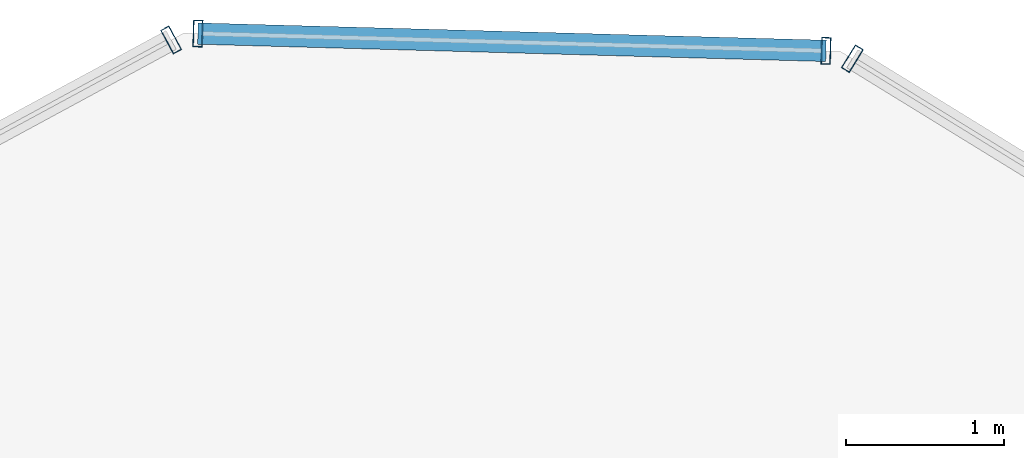
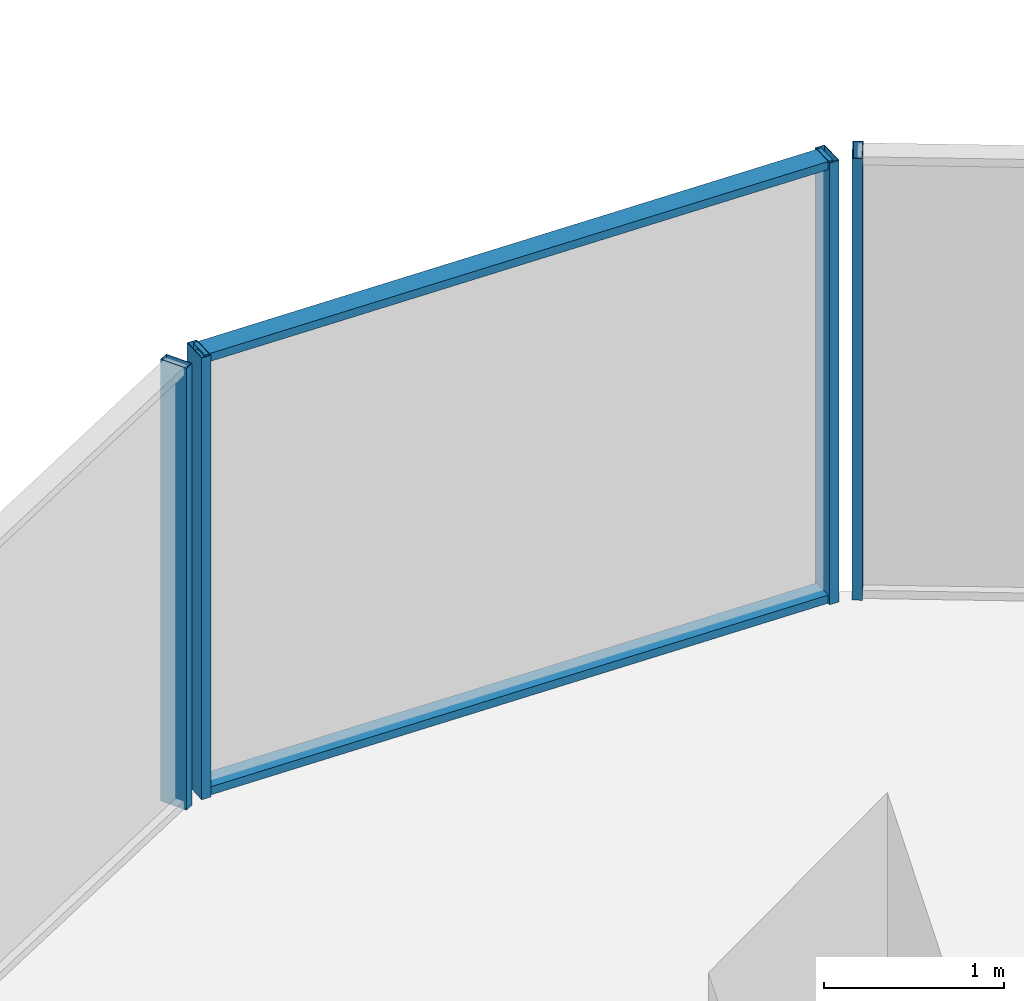
# One storey, part 23 of 30: 6 members, 3 elements without a shape of their own.
"""IFC4 building model written with IfcOpenShell, lengths in metres."""

from ifc_helpers import new_model, si_unit, direction, frame, origin, origin_2d, place, context, subcontext, project, spatial, hollow_rectangle, extrude, source, transform, mapped, material, layer, layer_set, material_profile, profile_set, type_object, element, aggregate, save


model = new_model("IFC4")

# Units and contexts
model_context = context("Model", 3, precision=1e-05, world=origin(), true_north=direction((0.0, 1.0)))
body_context = subcontext(model_context, "Body", "Model", "MODEL_VIEW")
ifc_project = project(units=[si_unit("LENGTHUNIT", "METRE"), si_unit("AREAUNIT", "SQUARE_METRE"), si_unit("VOLUMEUNIT", "CUBIC_METRE"), si_unit("PLANEANGLEUNIT", "RADIAN"), si_unit("MASSUNIT", "GRAM", prefix="KILO")], contexts=[model_context])

# Site, building, storey
site_placement = place(None, origin())
site = spatial("IfcSite", under=ifc_project, at=site_placement, CompositionType="ELEMENT")
building_placement = place(site_placement, origin())
building = spatial("IfcBuilding", under=site, at=building_placement, Name="Veraguas Prism Commons", CompositionType="ELEMENT")
storey_placement = place(building_placement, frame((0.0, 0.0, 123.0)))
storey = spatial("IfcBuildingStorey", under=building, at=storey_placement, Name="L34", CompositionType="ELEMENT", Elevation=123.0)

# Curtain wall, member
ifc_material = material(Name="Anodised aluminium EN AW-6063 T6", Category="aluminium")
ifc_layer = layer(ifc_material, 0.169921875, Name="Unitised Flush Curtain Wall Zone 2", Category="aluminium")
ifc_layer_set = layer_set([ifc_layer], Name="Anodised aluminium EN AW-6063 T6")
curtain_wall_type = type_object("IfcCurtainWallType", Name="Unitised Flush Curtain Wall Zone 2", PredefinedType="NOTDEFINED", material=ifc_layer_set)
curtain_wall_1_placement = place(storey_placement, origin())
curtain_wall_1 = element("IfcCurtainWall", 1, at=curtain_wall_1_placement, inside=storey, type_object=curtain_wall_type, Name="Tower Facade Curtain Wall L34-F1", PredefinedType="NOTDEFINED")
ifc_material_profile_1 = material_profile(ifc_material, hollow_rectangle(XDim=0.06005859375, YDim=0.169921875, WallThickness=0.00390625, at=origin_2d()), Name="AL60X170X4")
ifc_profile_set_1 = profile_set([ifc_material_profile_1], Name="Anodised aluminium EN AW-6063 T6")
member_type_1 = type_object("IfcMemberType", Name="Curtain Wall Mullion Lower AL 60x170x4", PredefinedType="MULLION", material=ifc_profile_set_1)
shared_shape_1 = source(origin(), body_context, "Body", "SweptSolid", [
    extrude(hollow_rectangle(XDim=0.06005859375, YDim=0.169921875, WallThickness=0.00390625, at=origin_2d()), origin(), (0.0, 0.0, 1.0), 3.0),
])
member_1_placement = place(storey_placement, frame((26.730224609375, 44.8388671875, 0.0), z_axis=(0.0, 0.0, 1.0), x_axis=(-0.851907959812, 0.523691538989, 0.0)))
member_1 = element("IfcMember", 2, at=member_1_placement, type_object=member_type_1, Name="CW-Z2 Mullion 5", PredefinedType="MULLION", context=body_context, shape_type="MappedRepresentation", body=[
    mapped(shared_shape_1, transform((0.0, 0.0, 0.0), scale=1.0)),
])
aggregate(curtain_wall_1, [member_1])

curtain_wall_2_placement = place(storey_placement, origin())
curtain_wall_2 = element("IfcCurtainWall", 3, at=curtain_wall_2_placement, inside=storey, type_object=curtain_wall_type, Name="Tower Facade Curtain Wall L34-F2", PredefinedType="NOTDEFINED")
member_2_placement = place(storey_placement, frame((22.422607421875, 44.95751953125, 0.0), z_axis=(0.0, 0.0, 1.0), x_axis=(-0.879484156418, -0.475928165389, 0.0)))
member_2 = element("IfcMember", 4, at=member_2_placement, type_object=member_type_1, Name="CW-Z2 Mullion 1", PredefinedType="MULLION", context=body_context, shape_type="MappedRepresentation", body=[
    mapped(shared_shape_1, transform((0.0, 0.0, 0.0), scale=1.0)),
])
aggregate(curtain_wall_2, [member_2])

# Curtain wall, members
curtain_wall_3_placement = place(storey_placement, origin())
curtain_wall_3 = element("IfcCurtainWall", 5, at=curtain_wall_3_placement, inside=storey, type_object=curtain_wall_type, Name="Chamfer Curtain Wall L34-C2", PredefinedType="NOTDEFINED")
member_3_placement = place(storey_placement, frame((26.5634765625, 44.888427734375, 0.0), z_axis=(0.0, 0.0, 1.0), x_axis=(-0.99962052214, 0.02754653728, 0.0)))
member_3 = element("IfcMember", 6, at=member_3_placement, type_object=member_type_1, Name="CW-Z2 Mullion 1", PredefinedType="MULLION", context=body_context, shape_type="MappedRepresentation", body=[
    mapped(shared_shape_1, transform((0.0, 0.0, 0.0), scale=1.0)),
])
member_4_placement = place(storey_placement, frame((22.591796875, 44.997802734375, 0.0), z_axis=(0.0, 0.0, 1.0), x_axis=(-0.99962052214, 0.02754653728, 0.0)))
member_4 = element("IfcMember", 7, at=member_4_placement, type_object=member_type_1, Name="CW-Z2 Mullion 2", PredefinedType="MULLION", context=body_context, shape_type="MappedRepresentation", body=[
    mapped(shared_shape_1, transform((0.0, 0.0, 0.0), scale=1.0)),
])
ifc_material_profile_2 = material_profile(ifc_material, hollow_rectangle(XDim=0.054931640625, YDim=0.135009765625, WallThickness=0.0029296875, at=origin_2d()), Name="AL55X135X3")
ifc_profile_set_2 = profile_set([ifc_material_profile_2], Name="Anodised aluminium EN AW-6063 T6")
member_type_2 = type_object("IfcMemberType", Name="Curtain Wall Transom Standard AL 55x135x3", PredefinedType="USERDEFINED", material=ifc_profile_set_2)
shared_shape_2 = source(origin(), body_context, "Body", "SweptSolid", [
    extrude(hollow_rectangle(XDim=0.054931640625, YDim=0.135009765625, WallThickness=0.0029296875, at=origin_2d()), origin(), (0.0, 0.0, 1.0), 3.97314453125),
])
member_5_placement = place(storey_placement, frame((26.5634765625, 44.888427734375, 0.027587890625), z_axis=(-0.999621024818, 0.02752828984, 0.0), x_axis=(0.0, 0.0, 1.0)))
member_5 = element("IfcMember", 8, at=member_5_placement, type_object=member_type_2, Name="CW-Z2 Transom 1", ObjectType="TRANSOM", PredefinedType="USERDEFINED", context=body_context, shape_type="MappedRepresentation", body=[
    mapped(shared_shape_2, transform((0.0, 0.0, 0.0), scale=1.0)),
])
member_6_placement = place(storey_placement, frame((26.5634765625, 44.888427734375, 2.972412109375), z_axis=(-0.999621024818, 0.02752828984, 0.0), x_axis=(0.0, 0.0, 1.0)))
member_6 = element("IfcMember", 9, at=member_6_placement, type_object=member_type_2, Name="CW-Z2 Transom 2", ObjectType="TRANSOM", PredefinedType="USERDEFINED", context=body_context, shape_type="MappedRepresentation", body=[
    mapped(shared_shape_2, transform((0.0, 0.0, 0.0), scale=1.0)),
])
aggregate(curtain_wall_3, [member_3, member_4, member_5, member_6])

save(model, "model.ifc")
